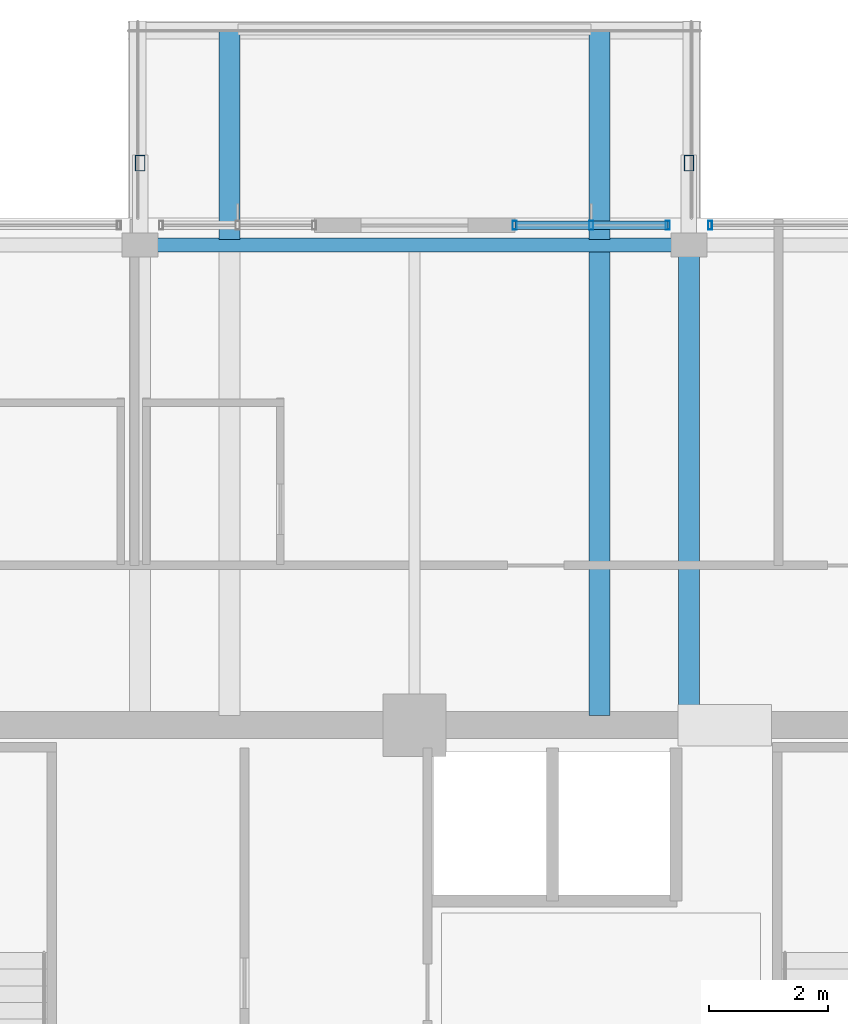
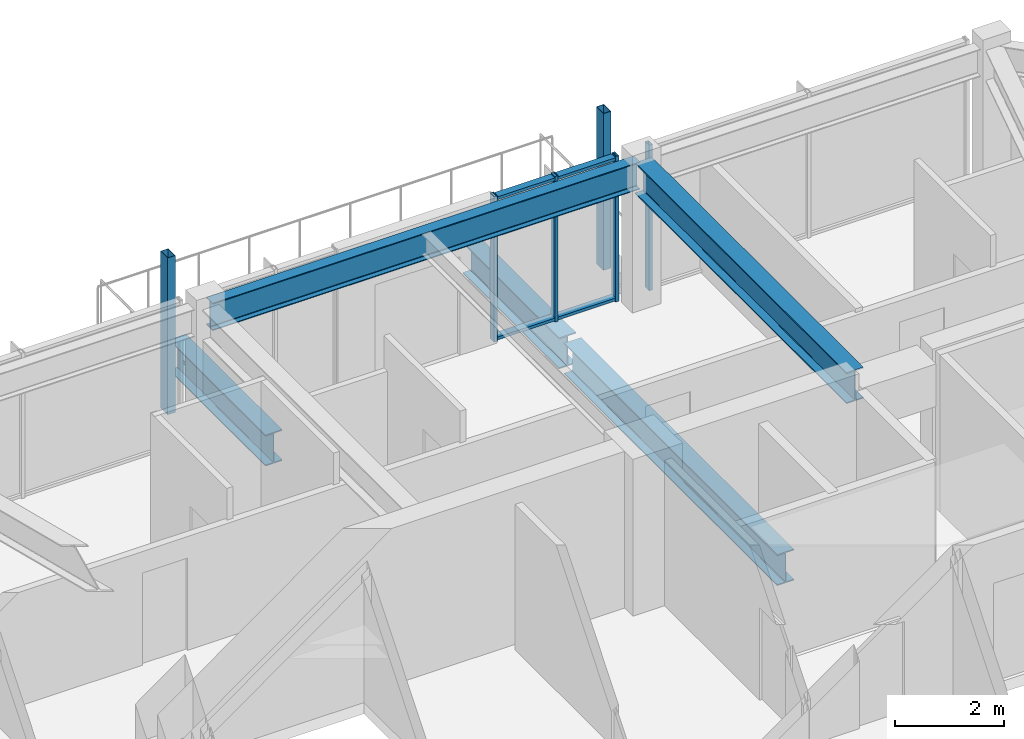
# One storey, part 16 of 31: 8 members, 5 beams, 2 elements without a shape of their own.
"""IFC4 building model written with IfcOpenShell, lengths in metres."""

from ifc_helpers import new_model, si_unit, direction, frame, origin, origin_2d, place, context, subcontext, project, spatial, hollow_rectangle, i_section, extrude, material, material_profile, profile_set, type_object, element, aggregate, save


model = new_model("IFC4")

# Units and contexts
model_context = context("Model", 3, precision=1e-05, world=origin(), true_north=direction((0.0, 1.0)))
body_context = subcontext(model_context, "Body", "Model", "MODEL_VIEW")
ifc_project = project(units=[si_unit("LENGTHUNIT", "METRE"), si_unit("AREAUNIT", "SQUARE_METRE"), si_unit("VOLUMEUNIT", "CUBIC_METRE"), si_unit("PLANEANGLEUNIT", "RADIAN"), si_unit("MASSUNIT", "GRAM", prefix="KILO")], contexts=[model_context])

# Site, building, storey
site_placement = place(None, origin())
site = spatial("IfcSite", under=ifc_project, at=site_placement, CompositionType="ELEMENT")
building_placement = place(site_placement, origin())
building = spatial("IfcBuilding", under=site, at=building_placement, Name="Kolvaren Belvedere", CompositionType="ELEMENT")
storey_placement = place(building_placement, frame((0.0, 0.0, 251.39990234375)))
storey = spatial("IfcBuildingStorey", under=building, at=storey_placement, Name="L73", CompositionType="ELEMENT", Elevation=251.39990234375)

# Beams
ifc_material_1 = material(Name="Structural steel ASTM A992 Grade 50", Category="steel")
ifc_material_profile_1 = material_profile(ifc_material_1, i_section(OverallWidth=0.35498046875, OverallDepth=0.696044921875, WebThickness=0.015380859375, FlangeThickness=0.02490234375, FilletRadius=0.02197265625, at=origin_2d()), Name="W27X146")
ifc_profile_set_1 = profile_set([ifc_material_profile_1], Name="Structural steel ASTM A992 Grade 50")
beam_type_1 = type_object("IfcBeamType", Name="BM-CANT-BAL", PredefinedType="BEAM", material=ifc_profile_set_1)
for number, where, z_axis, x_axis, name in (
    (1, (-3.10009765625, 18.044921875, -0.597900390625), (0.0, 1.0, 0.0), (-1.0, 0.0, 0.0), "L73 Planted Balcony Cantilever SPIRAL-12-N-1"),
    (2, (3.10009765625, 18.044921875, -0.597900390625), (0.0, 1.0, 0.0), (-1.0, 0.0, 0.0), "L73 Planted Balcony Cantilever SPIRAL-12-N-2"),
):
    element("IfcBeam", number, at=place(storey_placement, frame(where, z_axis=z_axis, x_axis=x_axis)), inside=storey, type_object=beam_type_1, Name=name, PredefinedType="BEAM", context=body_context, shape_type="SweptSolid", body=[
        extrude(i_section(OverallWidth=0.35498046875, OverallDepth=0.696044921875, WebThickness=0.015380859375, FlangeThickness=0.02490234375, FilletRadius=0.02197265625, at=origin_2d()), origin(), (0.0, 0.0, 1.0), 3.51513671875),
    ])
ifc_material_2 = material(Name="Structural steel ASTM A992 Grade 50", Category="steel")
ifc_material_profile_2 = material_profile(ifc_material_2, i_section(OverallWidth=0.35498046875, OverallDepth=0.696044921875, WebThickness=0.015380859375, FlangeThickness=0.02490234375, FilletRadius=0.02197265625, at=origin_2d()), Name="W27X146")
ifc_profile_set_2 = profile_set([ifc_material_profile_2], Name="Structural steel ASTM A992 Grade 50")
beam_type_2 = type_object("IfcBeamType", Name="BM-GIRD-W27X146", PredefinedType="BEAM", material=ifc_profile_set_2)
beam_1_placement = place(storey_placement, frame((3.10009765625, 10.06494140625, -0.597900390625), z_axis=(0.0, 1.0, 0.0), x_axis=(-1.0, 0.0, 0.0)))
element("IfcBeam", 3, at=beam_1_placement, inside=storey, type_object=beam_type_2, Name="L73 Balcony Interior Back-Span Girder SPIRAL-12-N-2", PredefinedType="BEAM", context=body_context, shape_type="SweptSolid", body=[
    extrude(i_section(OverallWidth=0.35498046875, OverallDepth=0.696044921875, WebThickness=0.015380859375, FlangeThickness=0.02490234375, FilletRadius=0.02197265625, at=origin_2d()), origin(), (0.0, 0.0, 1.0), 7.7900390625),
])
beam_2_placement = place(storey_placement, frame((4.60009765625, 10.125, 2.902099609375), z_axis=(0.0, 1.0, 0.0), x_axis=(-1.0, 0.0, 0.0)))
element("IfcBeam", 4, at=beam_2_placement, inside=storey, type_object=beam_type_2, Name="L73 North Radial Girder P", PredefinedType="BEAM", context=body_context, shape_type="SweptSolid", body=[
    extrude(i_section(OverallWidth=0.35498046875, OverallDepth=0.696044921875, WebThickness=0.015380859375, FlangeThickness=0.02490234375, FilletRadius=0.02197265625, at=origin_2d()), origin(), (0.0, 0.0, 1.0), 7.735107421875),
])
ifc_material_3 = material(Name="Structural steel ASTM A992 Grade 50", Category="steel")
ifc_material_profile_3 = material_profile(ifc_material_3, i_section(OverallWidth=0.22900390625, OverallDepth=0.612060546875, WebThickness=0.011962890625, FlangeThickness=0.01953125, FilletRadius=0.01806640625, at=origin_2d()), Name="W24X84")
ifc_profile_set_3 = profile_set([ifc_material_profile_3], Name="Structural steel ASTM A992 Grade 50")
beam_type_3 = type_object("IfcBeamType", Name="BM-SPAN-W24X84", PredefinedType="SPANDREL", material=ifc_profile_set_3)
beam_3_placement = place(storey_placement, frame((4.510009765625, 17.949951171875, 2.944091796875), z_axis=(-1.0, 0.0, 0.0), x_axis=(0.0, -1.0, 0.0)))
element("IfcBeam", 5, at=beam_3_placement, inside=storey, type_object=beam_type_3, Name="L73 Perimeter Spandrel N3-N2", PredefinedType="SPANDREL", context=body_context, shape_type="SweptSolid", body=[
    extrude(i_section(OverallWidth=0.22900390625, OverallDepth=0.612060546875, WebThickness=0.011962890625, FlangeThickness=0.01953125, FilletRadius=0.01806640625, at=origin_2d()), origin(), (0.0, 0.0, 1.0), 9.02001953125),
])

# Curtain wall, members
ifc_material_4 = material(Name="Anodised pale-metal aluminium AA 6063-T6", Category="aluminium")
curtain_wall_type = type_object("IfcCurtainWallType", Name="CW-Z5-HIGH", PredefinedType="NOTDEFINED", material=ifc_material_4)
curtain_wall_1_placement = place(storey_placement, origin())
curtain_wall_1 = element("IfcCurtainWall", 6, at=curtain_wall_1_placement, inside=storey, type_object=curtain_wall_type, Name="L73 Unitised Curtain Wall FCW-L73-N2-B1", PredefinedType="NOTDEFINED")
ifc_material_5 = material(Name="Anodised pale-metal aluminium AA 6063-T6", Category="aluminium")
ifc_material_profile_4 = material_profile(ifc_material_5, hollow_rectangle(XDim=0.070068359375, YDim=0.14990234375, WallThickness=0.004150390625, at=origin_2d()), Name="ALU-MUL-150X70")
ifc_profile_set_4 = profile_set([ifc_material_profile_4], Name="Anodised pale-metal aluminium AA 6063-T6")
member_type_1 = type_object("IfcMemberType", Name="CW-MUL-150", PredefinedType="MULLION", material=ifc_profile_set_4)
member_1_placement = place(storey_placement, frame((1.679931640625, 18.280029296875, 0.0), z_axis=(0.0, 0.0, 1.0), x_axis=(1.0, 0.0, 0.0)))
member_1 = element("IfcMember", 7, at=member_1_placement, type_object=member_type_1, Name="FCW-L73-N2-B1 Unitised Mullion 1", PredefinedType="MULLION", context=body_context, shape_type="SweptSolid", body=[
    extrude(hollow_rectangle(XDim=0.070068359375, YDim=0.14990234375, WallThickness=0.004150390625, at=origin_2d()), origin(), (0.0, 0.0, 1.0), 3.25),
])
member_2_placement = place(storey_placement, frame((2.96240234375, 18.280029296875, 0.0), z_axis=(0.0, 0.0, 1.0), x_axis=(1.0, 0.0, 0.0)))
member_2 = element("IfcMember", 8, at=member_2_placement, type_object=member_type_1, Name="FCW-L73-N2-B1 Unitised Mullion 2", PredefinedType="MULLION", context=body_context, shape_type="SweptSolid", body=[
    extrude(hollow_rectangle(XDim=0.070068359375, YDim=0.14990234375, WallThickness=0.004150390625, at=origin_2d()), origin(), (0.0, 0.0, 1.0), 3.25),
])
member_3_placement = place(storey_placement, frame((4.2451171875, 18.280029296875, 0.0), z_axis=(0.0, 0.0, 1.0), x_axis=(1.0, 0.0, 0.0)))
member_3 = element("IfcMember", 9, at=member_3_placement, type_object=member_type_1, Name="FCW-L73-N2-B1 Unitised Mullion 3", PredefinedType="MULLION", context=body_context, shape_type="SweptSolid", body=[
    extrude(hollow_rectangle(XDim=0.070068359375, YDim=0.14990234375, WallThickness=0.004150390625, at=origin_2d()), origin(), (0.0, 0.0, 1.0), 3.25),
])

# Curtain wall, member
curtain_wall_2_placement = place(storey_placement, origin())
curtain_wall_2 = element("IfcCurtainWall", 10, at=curtain_wall_2_placement, inside=storey, type_object=curtain_wall_type, Name="L73 Unitised Curtain Wall FCW-L73-N2-B2", PredefinedType="NOTDEFINED")
member_4_placement = place(storey_placement, frame((4.955078125, 18.280029296875, 0.0), z_axis=(0.0, 0.0, 1.0), x_axis=(1.0, 0.0, 0.0)))
member_4 = element("IfcMember", 11, at=member_4_placement, type_object=member_type_1, Name="FCW-L73-N2-B2 Unitised Mullion 1", PredefinedType="MULLION", context=body_context, shape_type="SweptSolid", body=[
    extrude(hollow_rectangle(XDim=0.070068359375, YDim=0.14990234375, WallThickness=0.004150390625, at=origin_2d()), origin(), (0.0, 0.0, 1.0), 3.25),
])
aggregate(curtain_wall_2, [member_4])

# Member
ifc_material_6 = material(Name="Anodised pale-metal aluminium AA 6063-T6", Category="aluminium")
ifc_material_profile_5 = material_profile(ifc_material_6, hollow_rectangle(XDim=0.06494140625, YDim=0.14990234375, WallThickness=0.00390625, at=origin_2d()), Name="ALU-TRN-150X65")
ifc_profile_set_5 = profile_set([ifc_material_profile_5], Name="Anodised pale-metal aluminium AA 6063-T6")
member_type_2 = type_object("IfcMemberType", Name="CW-TRN-150", PredefinedType="USERDEFINED", material=ifc_profile_set_5)
member_5_placement = place(storey_placement, frame((1.679931640625, 18.280029296875, 0.06005859375), z_axis=(1.0, 0.0, 0.0), x_axis=(0.0, 0.0, 1.0)))
member_5 = element("IfcMember", 12, at=member_5_placement, type_object=member_type_2, Name="FCW-L73-N2-B1 Sill Transom", ObjectType="TRANSOM", PredefinedType="USERDEFINED", context=body_context, shape_type="SweptSolid", body=[
    extrude(hollow_rectangle(XDim=0.06494140625, YDim=0.14990234375, WallThickness=0.00390625, at=origin_2d()), origin(), (0.0, 0.0, 1.0), 2.565185546875),
])

member_6_placement = place(storey_placement, frame((1.679931640625, 18.280029296875, 3.190185546875), z_axis=(1.0, 0.0, 0.0), x_axis=(0.0, 0.0, 1.0)))
member_6 = element("IfcMember", 13, at=member_6_placement, type_object=member_type_2, Name="FCW-L73-N2-B1 Head Transom", ObjectType="TRANSOM", PredefinedType="USERDEFINED", context=body_context, shape_type="SweptSolid", body=[
    extrude(hollow_rectangle(XDim=0.06494140625, YDim=0.14990234375, WallThickness=0.00390625, at=origin_2d()), origin(), (0.0, 0.0, 1.0), 2.565185546875),
])

aggregate(curtain_wall_1, [member_1, member_2, member_3, member_5, member_6])

# Members
ifc_material_7 = material(Name="Anodised pale-metal aluminium AA 6063-T6", Category="aluminium")
ifc_material_profile_6 = material_profile(ifc_material_7, hollow_rectangle(XDim=0.159912109375, YDim=0.260009765625, WallThickness=0.006591796875, at=origin_2d()), Name="ALU-PF-260X160")
ifc_profile_set_6 = profile_set([ifc_material_profile_6], Name="Anodised pale-metal aluminium AA 6063-T6")
member_type_3 = type_object("IfcMemberType", Name="PF-FRAME-260", PredefinedType="USERDEFINED", material=ifc_profile_set_6)
for number, where, z_axis, x_axis, name in (
    (14, (-4.60009765625, 19.320068359375, 0.0), (0.0, 0.0, 1.0), (1.0, 0.0, 0.0), "L73 Outboard Picture-Frame Vertical N1"),
    (15, (4.60009765625, 19.320068359375, 0.0), (0.0, 0.0, 1.0), (1.0, 0.0, 0.0), "L73 Outboard Picture-Frame Vertical N2"),
):
    element("IfcMember", number, at=place(storey_placement, frame(where, z_axis=z_axis, x_axis=x_axis)), inside=storey, type_object=member_type_3, Name=name, ObjectType="PICTURE FRAME FIN", PredefinedType="USERDEFINED", context=body_context, shape_type="SweptSolid", body=[
        extrude(hollow_rectangle(XDim=0.159912109375, YDim=0.260009765625, WallThickness=0.006591796875, at=origin_2d()), origin(), (0.0, 0.0, 1.0), 3.5),
    ])

save(model, "model.ifc")
